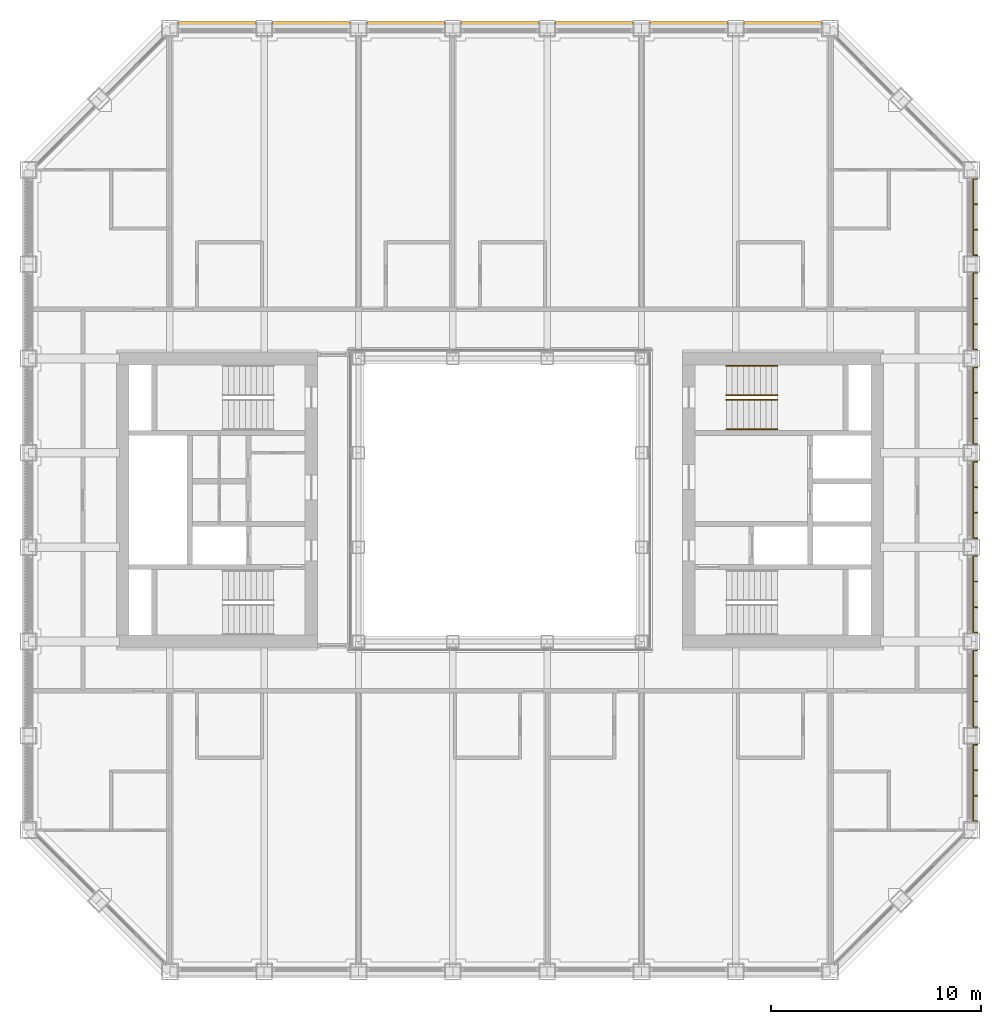
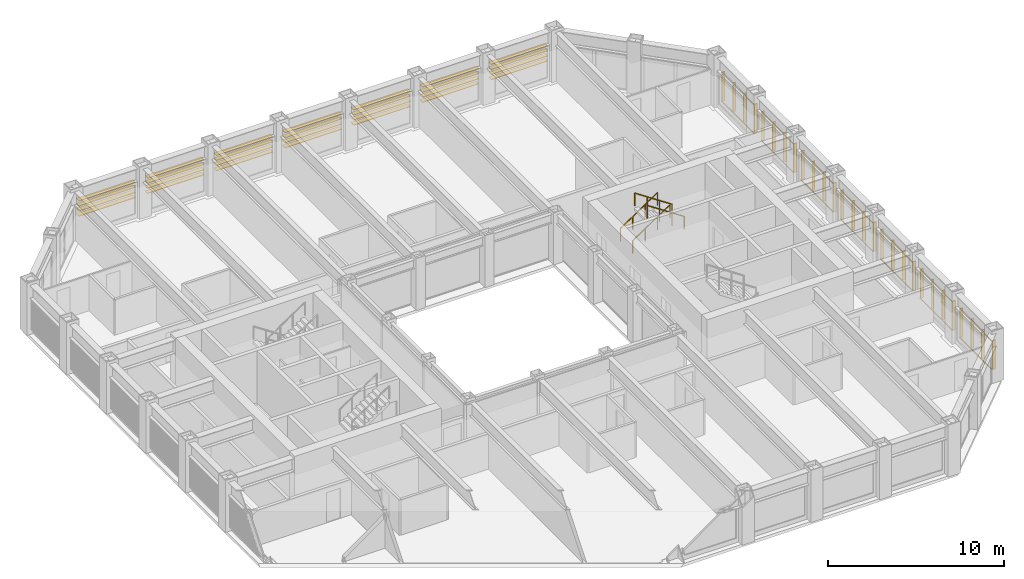
# One storey, part 17 of 17: 4 railings, 2 shading devices.
"""IFC4 building model written with IfcOpenShell, lengths in metres."""

from ifc_helpers import new_model, si_unit, direction, frame, origin, origin_2d, place, context, subcontext, project, spatial, rectangle, circle, extrude, material, type_object, element, save


model = new_model("IFC4")

# Units and contexts
model_context = context("Model", 3, precision=1e-05, world=origin(), true_north=direction((0.0, 1.0)))
body_context = subcontext(model_context, "Body", "Model", "MODEL_VIEW")
ifc_project = project(units=[si_unit("LENGTHUNIT", "METRE"), si_unit("AREAUNIT", "SQUARE_METRE"), si_unit("VOLUMEUNIT", "CUBIC_METRE"), si_unit("PLANEANGLEUNIT", "RADIAN"), si_unit("MASSUNIT", "GRAM", prefix="KILO")], contexts=[model_context])

# Site, building, storey
site_placement = place(None, origin())
site = spatial("IfcSite", under=ifc_project, at=site_placement, CompositionType="ELEMENT")
building_placement = place(site_placement, origin())
building = spatial("IfcBuilding", under=site, at=building_placement, Name="Msasa Ring Tower", CompositionType="ELEMENT")
storey_placement = place(building_placement, frame((0.0, 0.0, 161.60009765625)))
storey = spatial("IfcBuildingStorey", under=building, at=storey_placement, Name="L42", CompositionType="ELEMENT", Elevation=161.60009765625)

# Shading device
ifc_material_1 = material(Name="Extruded terracotta on aluminium carriers", Category="masonry")
shading_device_type_1 = type_object("IfcShadingDeviceType", Name="BS2 TERRACOTTA FIN SCREEN 40x200 AT 1350", PredefinedType="USERDEFINED", material=ifc_material_1)
shading_device_1_placement = place(storey_placement, origin())
element("IfcShadingDevice", 1, at=shading_device_1_placement, inside=storey, type_object=shading_device_type_1, Name="Terracotta fin screen E L42", ObjectType="BAGUETTE", PredefinedType="USERDEFINED", context=body_context, shape_type="SweptSolid", body=[
    extrude(rectangle(XDim=0.06005859375, YDim=0.0400390625, at=origin_2d()), frame((22.580078125, -15.35009765625, 0.329833984375), z_axis=(0.0, 1.0, 0.0), x_axis=(0.0, 0.0, 1.0)), (0.0, 0.0, 1.0), 3.699951171875),
    extrude(rectangle(XDim=0.06005859375, YDim=0.0400390625, at=origin_2d()), frame((22.580078125, -15.35009765625, 2.298828125), z_axis=(0.0, 1.0, 0.0), x_axis=(0.0, 0.0, 1.0)), (0.0, 0.0, 1.0), 3.699951171875),
    extrude(rectangle(XDim=0.0400390625, YDim=0.199951171875, at=origin_2d()), frame((22.695068359375, -15.330078125, 0.2998046875), z_axis=(0.0, 0.0, 1.0), x_axis=(0.0, 1.0, 0.0)), (0.0, 0.0, 1.0), 2.029052734375),
    extrude(rectangle(XDim=0.0400390625, YDim=0.199951171875, at=origin_2d()), frame((22.695068359375, -14.110107421875, 0.2998046875), z_axis=(0.0, 0.0, 1.0), x_axis=(0.0, 1.0, 0.0)), (0.0, 0.0, 1.0), 2.029052734375),
    extrude(rectangle(XDim=0.0400390625, YDim=0.199951171875, at=origin_2d()), frame((22.695068359375, -12.889892578125, 0.2998046875), z_axis=(0.0, 0.0, 1.0), x_axis=(0.0, 1.0, 0.0)), (0.0, 0.0, 1.0), 2.029052734375),
    extrude(rectangle(XDim=0.0400390625, YDim=0.199951171875, at=origin_2d()), frame((22.695068359375, -11.669921875, 0.2998046875), z_axis=(0.0, 0.0, 1.0), x_axis=(0.0, 1.0, 0.0)), (0.0, 0.0, 1.0), 2.029052734375),
    extrude(rectangle(XDim=0.06005859375, YDim=0.0400390625, at=origin_2d()), frame((22.580078125, -10.85009765625, 0.329833984375), z_axis=(0.0, 1.0, 0.0), x_axis=(0.0, 0.0, 1.0)), (0.0, 0.0, 1.0), 3.699951171875),
    extrude(rectangle(XDim=0.06005859375, YDim=0.0400390625, at=origin_2d()), frame((22.580078125, -10.85009765625, 2.298828125), z_axis=(0.0, 1.0, 0.0), x_axis=(0.0, 0.0, 1.0)), (0.0, 0.0, 1.0), 3.699951171875),
    extrude(rectangle(XDim=0.0400390625, YDim=0.199951171875, at=origin_2d()), frame((22.695068359375, -10.830078125, 0.2998046875), z_axis=(0.0, 0.0, 1.0), x_axis=(0.0, 1.0, 0.0)), (0.0, 0.0, 1.0), 2.029052734375),
    extrude(rectangle(XDim=0.0400390625, YDim=0.199951171875, at=origin_2d()), frame((22.695068359375, -9.610107421875, 0.2998046875), z_axis=(0.0, 0.0, 1.0), x_axis=(0.0, 1.0, 0.0)), (0.0, 0.0, 1.0), 2.029052734375),
    extrude(rectangle(XDim=0.0400390625, YDim=0.199951171875, at=origin_2d()), frame((22.695068359375, -8.389892578125, 0.2998046875), z_axis=(0.0, 0.0, 1.0), x_axis=(0.0, 1.0, 0.0)), (0.0, 0.0, 1.0), 2.029052734375),
    extrude(rectangle(XDim=0.0400390625, YDim=0.199951171875, at=origin_2d()), frame((22.695068359375, -7.169921875, 0.2998046875), z_axis=(0.0, 0.0, 1.0), x_axis=(0.0, 1.0, 0.0)), (0.0, 0.0, 1.0), 2.029052734375),
    extrude(rectangle(XDim=0.06005859375, YDim=0.0400390625, at=origin_2d()), frame((22.580078125, -6.35009765625, 0.329833984375), z_axis=(0.0, 1.0, 0.0), x_axis=(0.0, 0.0, 1.0)), (0.0, 0.0, 1.0), 3.699951171875),
    extrude(rectangle(XDim=0.06005859375, YDim=0.0400390625, at=origin_2d()), frame((22.580078125, -6.35009765625, 2.298828125), z_axis=(0.0, 1.0, 0.0), x_axis=(0.0, 0.0, 1.0)), (0.0, 0.0, 1.0), 3.699951171875),
    extrude(rectangle(XDim=0.0400390625, YDim=0.199951171875, at=origin_2d()), frame((22.695068359375, -6.330078125, 0.2998046875), z_axis=(0.0, 0.0, 1.0), x_axis=(0.0, 1.0, 0.0)), (0.0, 0.0, 1.0), 2.029052734375),
    extrude(rectangle(XDim=0.0400390625, YDim=0.199951171875, at=origin_2d()), frame((22.695068359375, -5.110107421875, 0.2998046875), z_axis=(0.0, 0.0, 1.0), x_axis=(0.0, 1.0, 0.0)), (0.0, 0.0, 1.0), 2.029052734375),
    extrude(rectangle(XDim=0.0400390625, YDim=0.199951171875, at=origin_2d()), frame((22.695068359375, -3.889892578125, 0.2998046875), z_axis=(0.0, 0.0, 1.0), x_axis=(0.0, 1.0, 0.0)), (0.0, 0.0, 1.0), 2.029052734375),
    extrude(rectangle(XDim=0.0400390625, YDim=0.199951171875, at=origin_2d()), frame((22.695068359375, -2.669921875, 0.2998046875), z_axis=(0.0, 0.0, 1.0), x_axis=(0.0, 1.0, 0.0)), (0.0, 0.0, 1.0), 2.029052734375),
    extrude(rectangle(XDim=0.06005859375, YDim=0.0400390625, at=origin_2d()), frame((22.580078125, -1.85009765625, 0.329833984375), z_axis=(0.0, 1.0, 0.0), x_axis=(0.0, 0.0, 1.0)), (0.0, 0.0, 1.0), 3.699951171875),
    extrude(rectangle(XDim=0.06005859375, YDim=0.0400390625, at=origin_2d()), frame((22.580078125, -1.85009765625, 2.298828125), z_axis=(0.0, 1.0, 0.0), x_axis=(0.0, 0.0, 1.0)), (0.0, 0.0, 1.0), 3.699951171875),
    extrude(rectangle(XDim=0.0400390625, YDim=0.199951171875, at=origin_2d()), frame((22.695068359375, -1.830078125, 0.2998046875), z_axis=(0.0, 0.0, 1.0), x_axis=(0.0, 1.0, 0.0)), (0.0, 0.0, 1.0), 2.029052734375),
    extrude(rectangle(XDim=0.0400390625, YDim=0.199951171875, at=origin_2d()), frame((22.695068359375, -0.610107421875, 0.2998046875), z_axis=(0.0, 0.0, 1.0), x_axis=(0.0, 1.0, 0.0)), (0.0, 0.0, 1.0), 2.029052734375),
    extrude(rectangle(XDim=0.0400390625, YDim=0.199951171875, at=origin_2d()), frame((22.695068359375, 0.610107421875, 0.2998046875), z_axis=(0.0, 0.0, 1.0), x_axis=(0.0, 1.0, 0.0)), (0.0, 0.0, 1.0), 2.029052734375),
    extrude(rectangle(XDim=0.0400390625, YDim=0.199951171875, at=origin_2d()), frame((22.695068359375, 1.830078125, 0.2998046875), z_axis=(0.0, 0.0, 1.0), x_axis=(0.0, 1.0, 0.0)), (0.0, 0.0, 1.0), 2.029052734375),
    extrude(rectangle(XDim=0.06005859375, YDim=0.0400390625, at=origin_2d()), frame((22.580078125, 2.64990234375, 0.329833984375), z_axis=(0.0, 1.0, 0.0), x_axis=(0.0, 0.0, 1.0)), (0.0, 0.0, 1.0), 3.699951171875),
    extrude(rectangle(XDim=0.06005859375, YDim=0.0400390625, at=origin_2d()), frame((22.580078125, 2.64990234375, 2.298828125), z_axis=(0.0, 1.0, 0.0), x_axis=(0.0, 0.0, 1.0)), (0.0, 0.0, 1.0), 3.699951171875),
    extrude(rectangle(XDim=0.0400390625, YDim=0.199951171875, at=origin_2d()), frame((22.695068359375, 2.669921875, 0.2998046875), z_axis=(0.0, 0.0, 1.0), x_axis=(0.0, 1.0, 0.0)), (0.0, 0.0, 1.0), 2.029052734375),
    extrude(rectangle(XDim=0.0400390625, YDim=0.199951171875, at=origin_2d()), frame((22.695068359375, 3.889892578125, 0.2998046875), z_axis=(0.0, 0.0, 1.0), x_axis=(0.0, 1.0, 0.0)), (0.0, 0.0, 1.0), 2.029052734375),
    extrude(rectangle(XDim=0.0400390625, YDim=0.199951171875, at=origin_2d()), frame((22.695068359375, 5.110107421875, 0.2998046875), z_axis=(0.0, 0.0, 1.0), x_axis=(0.0, 1.0, 0.0)), (0.0, 0.0, 1.0), 2.029052734375),
    extrude(rectangle(XDim=0.0400390625, YDim=0.199951171875, at=origin_2d()), frame((22.695068359375, 6.330078125, 0.2998046875), z_axis=(0.0, 0.0, 1.0), x_axis=(0.0, 1.0, 0.0)), (0.0, 0.0, 1.0), 2.029052734375),
    extrude(rectangle(XDim=0.06005859375, YDim=0.0400390625, at=origin_2d()), frame((22.580078125, 7.14990234375, 0.329833984375), z_axis=(0.0, 1.0, 0.0), x_axis=(0.0, 0.0, 1.0)), (0.0, 0.0, 1.0), 3.699951171875),
    extrude(rectangle(XDim=0.06005859375, YDim=0.0400390625, at=origin_2d()), frame((22.580078125, 7.14990234375, 2.298828125), z_axis=(0.0, 1.0, 0.0), x_axis=(0.0, 0.0, 1.0)), (0.0, 0.0, 1.0), 3.699951171875),
    extrude(rectangle(XDim=0.0400390625, YDim=0.199951171875, at=origin_2d()), frame((22.695068359375, 7.169921875, 0.2998046875), z_axis=(0.0, 0.0, 1.0), x_axis=(0.0, 1.0, 0.0)), (0.0, 0.0, 1.0), 2.029052734375),
    extrude(rectangle(XDim=0.0400390625, YDim=0.199951171875, at=origin_2d()), frame((22.695068359375, 8.389892578125, 0.2998046875), z_axis=(0.0, 0.0, 1.0), x_axis=(0.0, 1.0, 0.0)), (0.0, 0.0, 1.0), 2.029052734375),
    extrude(rectangle(XDim=0.0400390625, YDim=0.199951171875, at=origin_2d()), frame((22.695068359375, 9.610107421875, 0.2998046875), z_axis=(0.0, 0.0, 1.0), x_axis=(0.0, 1.0, 0.0)), (0.0, 0.0, 1.0), 2.029052734375),
    extrude(rectangle(XDim=0.0400390625, YDim=0.199951171875, at=origin_2d()), frame((22.695068359375, 10.830078125, 0.2998046875), z_axis=(0.0, 0.0, 1.0), x_axis=(0.0, 1.0, 0.0)), (0.0, 0.0, 1.0), 2.029052734375),
    extrude(rectangle(XDim=0.06005859375, YDim=0.0400390625, at=origin_2d()), frame((22.580078125, 11.64990234375, 0.329833984375), z_axis=(0.0, 1.0, 0.0), x_axis=(0.0, 0.0, 1.0)), (0.0, 0.0, 1.0), 3.699951171875),
    extrude(rectangle(XDim=0.06005859375, YDim=0.0400390625, at=origin_2d()), frame((22.580078125, 11.64990234375, 2.298828125), z_axis=(0.0, 1.0, 0.0), x_axis=(0.0, 0.0, 1.0)), (0.0, 0.0, 1.0), 3.699951171875),
    extrude(rectangle(XDim=0.0400390625, YDim=0.199951171875, at=origin_2d()), frame((22.695068359375, 11.669921875, 0.2998046875), z_axis=(0.0, 0.0, 1.0), x_axis=(0.0, 1.0, 0.0)), (0.0, 0.0, 1.0), 2.029052734375),
    extrude(rectangle(XDim=0.0400390625, YDim=0.199951171875, at=origin_2d()), frame((22.695068359375, 12.889892578125, 0.2998046875), z_axis=(0.0, 0.0, 1.0), x_axis=(0.0, 1.0, 0.0)), (0.0, 0.0, 1.0), 2.029052734375),
    extrude(rectangle(XDim=0.0400390625, YDim=0.199951171875, at=origin_2d()), frame((22.695068359375, 14.110107421875, 0.2998046875), z_axis=(0.0, 0.0, 1.0), x_axis=(0.0, 1.0, 0.0)), (0.0, 0.0, 1.0), 2.029052734375),
    extrude(rectangle(XDim=0.0400390625, YDim=0.199951171875, at=origin_2d()), frame((22.695068359375, 15.330078125, 0.2998046875), z_axis=(0.0, 0.0, 1.0), x_axis=(0.0, 1.0, 0.0)), (0.0, 0.0, 1.0), 2.029052734375),
])

# Railings
ifc_material_2 = material(Name="Stainless steel", Category="steel")
railing_type = type_object("IfcRailingType", Name="HR1 HANDRAIL 900", PredefinedType="HANDRAIL", material=ifc_material_2)
for number, where, name in (
    (2, (10.800048828125, 5.0, 0.179931640625), "Handrail stair SEB L42 1"),
    (3, (10.800048828125, 6.39990234375, 0.179931640625), "Handrail stair SEB L42 2"),
):
    element("IfcRailing", number, at=place(storey_placement, frame(where)), inside=storey, type_object=railing_type, Name=name, PredefinedType="HANDRAIL", context=body_context, shape_type="SweptSolid", body=[
        extrude(circle(Radius=0.02392578125, at=origin_2d()), frame((0.0, 0.0, 0.8759765625), z_axis=(0.832063155534, 0.0, 0.554680903946), x_axis=(0.0, 1.0, 0.0)), (0.0, 0.0, 1.0), 2.92041015625),
        extrude(circle(Radius=0.02099609375, at=origin_2d()), origin(), (0.0, 0.0, 1.0), 0.851806640625),
        extrude(circle(Radius=0.02099609375, at=origin_2d()), frame((0.81005859375, 0.0, 0.5400390625)), (0.0, 0.0, 1.0), 0.851806640625),
        extrude(circle(Radius=0.02099609375, at=origin_2d()), frame((1.619873046875, 0.0, 1.079833984375)), (0.0, 0.0, 1.0), 0.851806640625),
        extrude(circle(Radius=0.02099609375, at=origin_2d()), frame((2.429931640625, 0.0, 1.619873046875)), (0.0, 0.0, 1.0), 0.851806640625),
    ])
for number, where, name in (
    (4, (13.22998046875, 3.375, 1.97998046875), "Handrail stair SEB L42 3"),
    (5, (13.22998046875, 4.77490234375, 1.97998046875), "Handrail stair SEB L42 4"),
):
    element("IfcRailing", number, at=place(storey_placement, frame(where)), inside=storey, type_object=railing_type, Name=name, PredefinedType="HANDRAIL", context=body_context, shape_type="SweptSolid", body=[
        extrude(circle(Radius=0.02392578125, at=origin_2d()), frame((0.0, 0.0, 0.8759765625), z_axis=(-0.832063155534, 0.0, 0.554680903946), x_axis=(0.0, -1.0, 0.0)), (0.0, 0.0, 1.0), 2.92041015625),
        extrude(circle(Radius=0.02099609375, at=origin_2d()), origin(), (0.0, 0.0, 1.0), 0.851806640625),
        extrude(circle(Radius=0.02099609375, at=origin_2d()), frame((-0.81005859375, 0.0, 0.5400390625)), (0.0, 0.0, 1.0), 0.851806640625),
        extrude(circle(Radius=0.02099609375, at=origin_2d()), frame((-1.619873046875, 0.0, 1.079833984375)), (0.0, 0.0, 1.0), 0.851806640625),
        extrude(circle(Radius=0.02099609375, at=origin_2d()), frame((-2.429931640625, 0.0, 1.619873046875)), (0.0, 0.0, 1.0), 0.851806640625),
    ])

# Shading device
ifc_material_3 = material(Name="Extruded terracotta blades", Category="masonry")
shading_device_type_2 = type_object("IfcShadingDeviceType", Name="SS1 TERRACOTTA SUNSHADE 4 BLADES 300x40 AT 350", PredefinedType="USERDEFINED", material=ifc_material_3)
shading_device_2_placement = place(storey_placement, origin())
element("IfcShadingDevice", 6, at=shading_device_2_placement, inside=storey, type_object=shading_device_type_2, Name="Terracotta sunshade N L42", ObjectType="SUNSHADE", PredefinedType="USERDEFINED", context=body_context, shape_type="SweptSolid", body=[
    extrude(rectangle(XDim=0.0400390625, YDim=0.300048828125, at=origin_2d()), frame((-15.35009765625, 22.679931640625, 2.308837890625), z_axis=(1.0, 0.0, 0.0), x_axis=(0.0, 0.0, 1.0)), (0.0, 0.0, 1.0), 3.699951171875),
    extrude(rectangle(XDim=0.0400390625, YDim=0.300048828125, at=origin_2d()), frame((-15.35009765625, 22.679931640625, 1.958984375), z_axis=(1.0, 0.0, 0.0), x_axis=(0.0, 0.0, 1.0)), (0.0, 0.0, 1.0), 3.699951171875),
    extrude(rectangle(XDim=0.0400390625, YDim=0.300048828125, at=origin_2d()), frame((-15.35009765625, 22.679931640625, 1.60888671875), z_axis=(1.0, 0.0, 0.0), x_axis=(0.0, 0.0, 1.0)), (0.0, 0.0, 1.0), 3.699951171875),
    extrude(rectangle(XDim=0.0400390625, YDim=0.300048828125, at=origin_2d()), frame((-15.35009765625, 22.679931640625, 1.2587890625), z_axis=(1.0, 0.0, 0.0), x_axis=(0.0, 0.0, 1.0)), (0.0, 0.0, 1.0), 3.699951171875),
    extrude(rectangle(XDim=0.0400390625, YDim=0.300048828125, at=origin_2d()), frame((-10.85009765625, 22.679931640625, 2.308837890625), z_axis=(1.0, 0.0, 0.0), x_axis=(0.0, 0.0, 1.0)), (0.0, 0.0, 1.0), 3.699951171875),
    extrude(rectangle(XDim=0.0400390625, YDim=0.300048828125, at=origin_2d()), frame((-10.85009765625, 22.679931640625, 1.958984375), z_axis=(1.0, 0.0, 0.0), x_axis=(0.0, 0.0, 1.0)), (0.0, 0.0, 1.0), 3.699951171875),
    extrude(rectangle(XDim=0.0400390625, YDim=0.300048828125, at=origin_2d()), frame((-10.85009765625, 22.679931640625, 1.60888671875), z_axis=(1.0, 0.0, 0.0), x_axis=(0.0, 0.0, 1.0)), (0.0, 0.0, 1.0), 3.699951171875),
    extrude(rectangle(XDim=0.0400390625, YDim=0.300048828125, at=origin_2d()), frame((-10.85009765625, 22.679931640625, 1.2587890625), z_axis=(1.0, 0.0, 0.0), x_axis=(0.0, 0.0, 1.0)), (0.0, 0.0, 1.0), 3.699951171875),
    extrude(rectangle(XDim=0.0400390625, YDim=0.300048828125, at=origin_2d()), frame((-6.35009765625, 22.679931640625, 2.308837890625), z_axis=(1.0, 0.0, 0.0), x_axis=(0.0, 0.0, 1.0)), (0.0, 0.0, 1.0), 3.699951171875),
    extrude(rectangle(XDim=0.0400390625, YDim=0.300048828125, at=origin_2d()), frame((-6.35009765625, 22.679931640625, 1.958984375), z_axis=(1.0, 0.0, 0.0), x_axis=(0.0, 0.0, 1.0)), (0.0, 0.0, 1.0), 3.699951171875),
    extrude(rectangle(XDim=0.0400390625, YDim=0.300048828125, at=origin_2d()), frame((-6.35009765625, 22.679931640625, 1.60888671875), z_axis=(1.0, 0.0, 0.0), x_axis=(0.0, 0.0, 1.0)), (0.0, 0.0, 1.0), 3.699951171875),
    extrude(rectangle(XDim=0.0400390625, YDim=0.300048828125, at=origin_2d()), frame((-6.35009765625, 22.679931640625, 1.2587890625), z_axis=(1.0, 0.0, 0.0), x_axis=(0.0, 0.0, 1.0)), (0.0, 0.0, 1.0), 3.699951171875),
    extrude(rectangle(XDim=0.0400390625, YDim=0.300048828125, at=origin_2d()), frame((-1.85009765625, 22.679931640625, 2.308837890625), z_axis=(1.0, 0.0, 0.0), x_axis=(0.0, 0.0, 1.0)), (0.0, 0.0, 1.0), 3.699951171875),
    extrude(rectangle(XDim=0.0400390625, YDim=0.300048828125, at=origin_2d()), frame((-1.85009765625, 22.679931640625, 1.958984375), z_axis=(1.0, 0.0, 0.0), x_axis=(0.0, 0.0, 1.0)), (0.0, 0.0, 1.0), 3.699951171875),
    extrude(rectangle(XDim=0.0400390625, YDim=0.300048828125, at=origin_2d()), frame((-1.85009765625, 22.679931640625, 1.60888671875), z_axis=(1.0, 0.0, 0.0), x_axis=(0.0, 0.0, 1.0)), (0.0, 0.0, 1.0), 3.699951171875),
    extrude(rectangle(XDim=0.0400390625, YDim=0.300048828125, at=origin_2d()), frame((-1.85009765625, 22.679931640625, 1.2587890625), z_axis=(1.0, 0.0, 0.0), x_axis=(0.0, 0.0, 1.0)), (0.0, 0.0, 1.0), 3.699951171875),
    extrude(rectangle(XDim=0.0400390625, YDim=0.300048828125, at=origin_2d()), frame((2.64990234375, 22.679931640625, 2.308837890625), z_axis=(1.0, 0.0, 0.0), x_axis=(0.0, 0.0, 1.0)), (0.0, 0.0, 1.0), 3.699951171875),
    extrude(rectangle(XDim=0.0400390625, YDim=0.300048828125, at=origin_2d()), frame((2.64990234375, 22.679931640625, 1.958984375), z_axis=(1.0, 0.0, 0.0), x_axis=(0.0, 0.0, 1.0)), (0.0, 0.0, 1.0), 3.699951171875),
    extrude(rectangle(XDim=0.0400390625, YDim=0.300048828125, at=origin_2d()), frame((2.64990234375, 22.679931640625, 1.60888671875), z_axis=(1.0, 0.0, 0.0), x_axis=(0.0, 0.0, 1.0)), (0.0, 0.0, 1.0), 3.699951171875),
    extrude(rectangle(XDim=0.0400390625, YDim=0.300048828125, at=origin_2d()), frame((2.64990234375, 22.679931640625, 1.2587890625), z_axis=(1.0, 0.0, 0.0), x_axis=(0.0, 0.0, 1.0)), (0.0, 0.0, 1.0), 3.699951171875),
    extrude(rectangle(XDim=0.0400390625, YDim=0.300048828125, at=origin_2d()), frame((7.14990234375, 22.679931640625, 2.308837890625), z_axis=(1.0, 0.0, 0.0), x_axis=(0.0, 0.0, 1.0)), (0.0, 0.0, 1.0), 3.699951171875),
    extrude(rectangle(XDim=0.0400390625, YDim=0.300048828125, at=origin_2d()), frame((7.14990234375, 22.679931640625, 1.958984375), z_axis=(1.0, 0.0, 0.0), x_axis=(0.0, 0.0, 1.0)), (0.0, 0.0, 1.0), 3.699951171875),
    extrude(rectangle(XDim=0.0400390625, YDim=0.300048828125, at=origin_2d()), frame((7.14990234375, 22.679931640625, 1.60888671875), z_axis=(1.0, 0.0, 0.0), x_axis=(0.0, 0.0, 1.0)), (0.0, 0.0, 1.0), 3.699951171875),
    extrude(rectangle(XDim=0.0400390625, YDim=0.300048828125, at=origin_2d()), frame((7.14990234375, 22.679931640625, 1.2587890625), z_axis=(1.0, 0.0, 0.0), x_axis=(0.0, 0.0, 1.0)), (0.0, 0.0, 1.0), 3.699951171875),
    extrude(rectangle(XDim=0.0400390625, YDim=0.300048828125, at=origin_2d()), frame((11.64990234375, 22.679931640625, 2.308837890625), z_axis=(1.0, 0.0, 0.0), x_axis=(0.0, 0.0, 1.0)), (0.0, 0.0, 1.0), 3.699951171875),
    extrude(rectangle(XDim=0.0400390625, YDim=0.300048828125, at=origin_2d()), frame((11.64990234375, 22.679931640625, 1.958984375), z_axis=(1.0, 0.0, 0.0), x_axis=(0.0, 0.0, 1.0)), (0.0, 0.0, 1.0), 3.699951171875),
    extrude(rectangle(XDim=0.0400390625, YDim=0.300048828125, at=origin_2d()), frame((11.64990234375, 22.679931640625, 1.60888671875), z_axis=(1.0, 0.0, 0.0), x_axis=(0.0, 0.0, 1.0)), (0.0, 0.0, 1.0), 3.699951171875),
    extrude(rectangle(XDim=0.0400390625, YDim=0.300048828125, at=origin_2d()), frame((11.64990234375, 22.679931640625, 1.2587890625), z_axis=(1.0, 0.0, 0.0), x_axis=(0.0, 0.0, 1.0)), (0.0, 0.0, 1.0), 3.699951171875),
])

save(model, "model.ifc")
